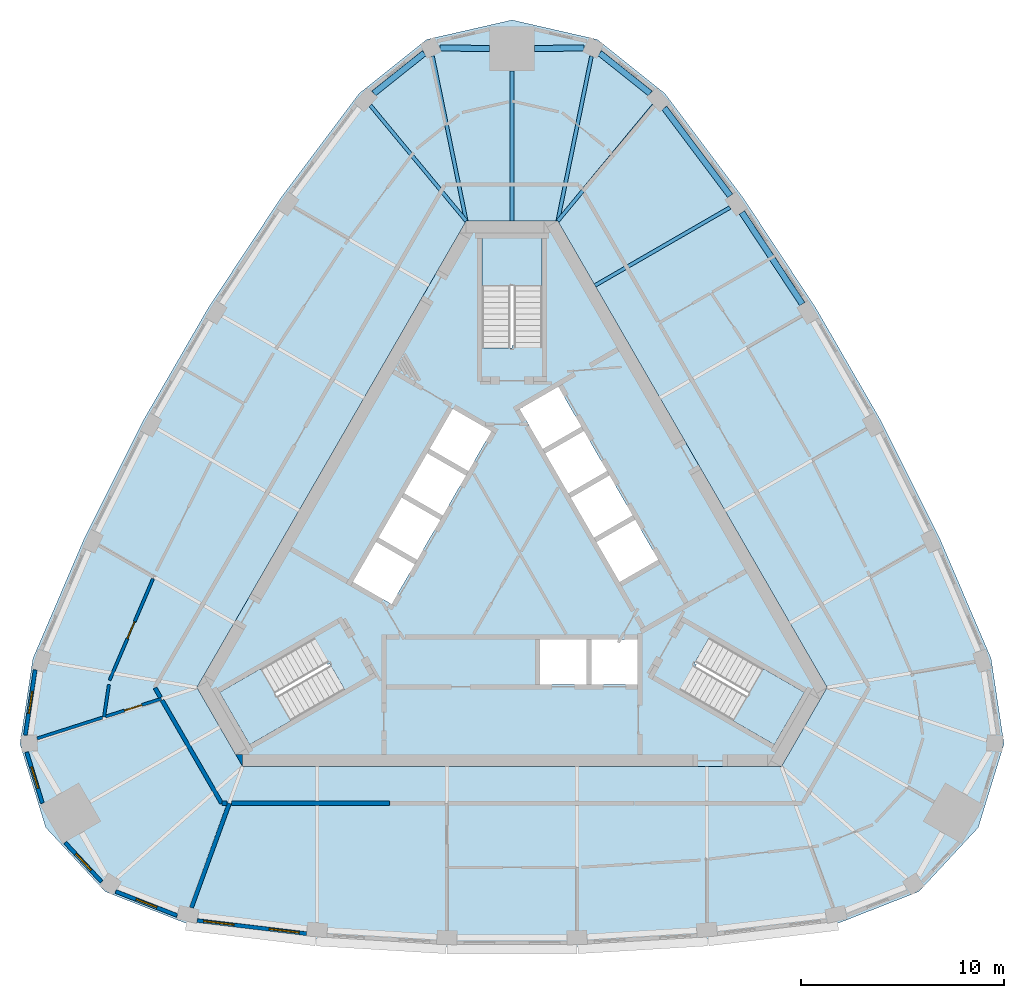
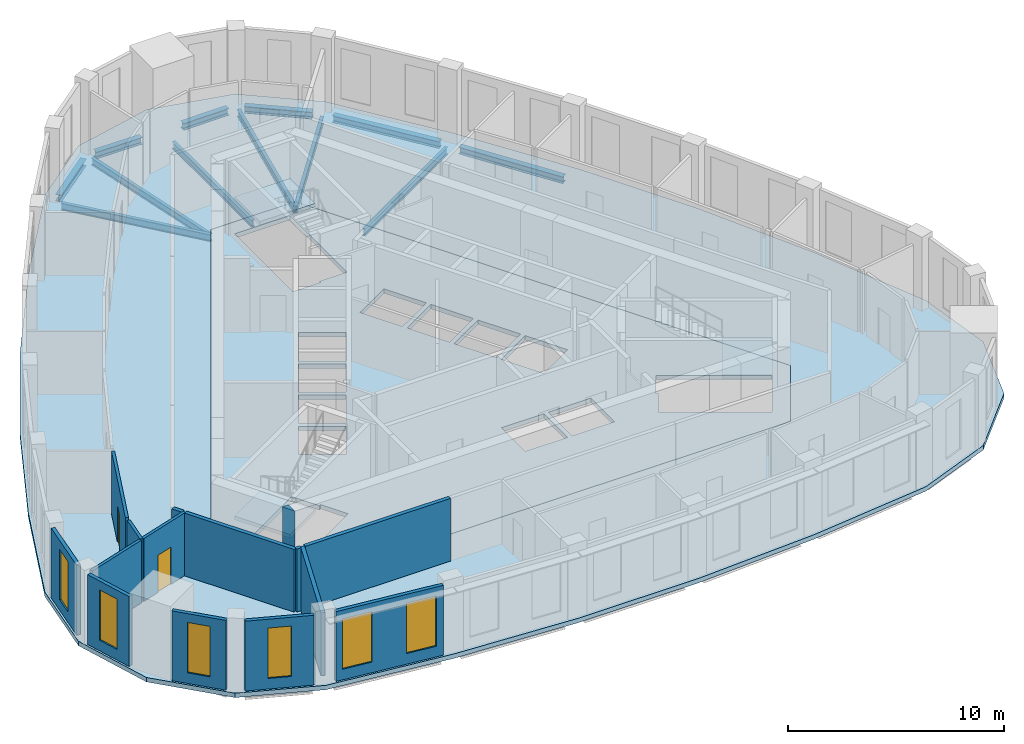
# One storey, part 2 of 10: 15 walls, 12 beams, 6 windows, 5 slabs, 2 doors, 8 openings, 3 elements without a shape of their own.
"""IFC4 building model written with IfcOpenShell, lengths in metres."""

from ifc_helpers import new_model, si_unit, direction, frame, frame_2d, origin, origin_2d, place, context, subcontext, project, spatial, polyline, rectangle, i_section, outline, extrude, material, layer, layer_set, material_profile, profile_set, type_object, element, fill, aggregate, save


model = new_model("IFC4")

# Units and contexts
model_context = context("Model", 3, precision=1e-05, world=origin(), true_north=direction((0.0, 1.0)))
body_context = subcontext(model_context, "Body", "Model", "MODEL_VIEW")
ifc_project = project(units=[si_unit("LENGTHUNIT", "METRE"), si_unit("AREAUNIT", "SQUARE_METRE"), si_unit("VOLUMEUNIT", "CUBIC_METRE"), si_unit("PLANEANGLEUNIT", "RADIAN"), si_unit("MASSUNIT", "GRAM", prefix="KILO")], contexts=[model_context])

# Site, building, storey
site_placement = place(None, origin())
site = spatial("IfcSite", under=ifc_project, at=site_placement, CompositionType="ELEMENT")
building_placement = place(site_placement, origin())
building = spatial("IfcBuilding", under=site, at=building_placement, Name="Mestral Congress Tower", CompositionType="ELEMENT")
storey_placement = place(building_placement, frame((0.0, 0.0, 275.39990234375)))
storey = spatial("IfcBuildingStorey", under=building, at=storey_placement, Name="L64", CompositionType="ELEMENT", Elevation=275.39990234375)

# Beams
ifc_material_1 = material(Name="Steel S355", Category="steel")
ifc_material_profile_1 = material_profile(ifc_material_1, i_section(OverallWidth=0.179931640625, OverallDepth=0.39990234375, WebThickness=0.008544921875, FlangeThickness=0.013427734375, FilletRadius=0.02099609375, at=origin_2d()), Name="IPE 400")
ifc_profile_set_1 = profile_set([ifc_material_profile_1], Name="Steel S355")
beam_type_1 = type_object("IfcBeamType", Name="Floor beam IPE 400 S355", PredefinedType="BEAM", material=ifc_profile_set_1)
beam_1_placement = place(storey_placement, frame((10.7275390625, 17.263916015625, -0.449951171875), z_axis=(-0.866019720907, -0.500009842903, 0.0), x_axis=(0.500009842903, -0.866019720907, 0.0)))
element("IfcBeam", 1, at=beam_1_placement, inside=storey, type_object=beam_type_1, Name="BM-L64-RB5-E04", PredefinedType="BEAM", context=body_context, shape_type="SweptSolid", body=[
    extrude(i_section(OverallWidth=0.179931640625, OverallDepth=0.39990234375, WebThickness=0.008544921875, FlangeThickness=0.013427734375, FilletRadius=0.02099609375, at=origin_2d()), origin(), (0.0, 0.0, 1.0), 7.672119140625),
])
beam_2_placement = place(storey_placement, frame((6.969970703125, 22.2890625, -0.449951171875), z_axis=(-0.638382651591, -0.769719163168, 0.0), x_axis=(0.769719163168, -0.638382651591, 0.0)))
element("IfcBeam", 2, at=beam_2_placement, inside=storey, type_object=beam_type_1, Name="BM-L64-RB5-E05", PredefinedType="BEAM", context=body_context, shape_type="SweptSolid", body=[
    extrude(i_section(OverallWidth=0.179931640625, OverallDepth=0.39990234375, WebThickness=0.008544921875, FlangeThickness=0.013427734375, FilletRadius=0.02099609375, at=origin_2d()), origin(), (0.0, 0.0, 1.0), 7.390869140625),
])
beam_3_placement = place(storey_placement, frame((3.910888671875, 24.7119140625, -0.449951171875), z_axis=(-0.200389803804, -0.979716247967, 0.0), x_axis=(0.979716247967, -0.200389803804, 0.0)))
element("IfcBeam", 3, at=beam_3_placement, inside=storey, type_object=beam_type_1, Name="BM-L64-RB5-N1", PredefinedType="BEAM", context=body_context, shape_type="SweptSolid", body=[
    extrude(i_section(OverallWidth=0.179931640625, OverallDepth=0.39990234375, WebThickness=0.008544921875, FlangeThickness=0.013427734375, FilletRadius=0.02099609375, at=origin_2d()), origin(), (0.0, 0.0, 1.0), 8.27978515625),
])
beam_4_placement = place(storey_placement, frame((0.0, 23.97802734375, -0.449951171875), z_axis=(0.0, -1.0, 0.0), x_axis=(1.0, 0.0, 0.0)))
element("IfcBeam", 4, at=beam_4_placement, inside=storey, type_object=beam_type_1, Name="BM-L64-RB5-N", PredefinedType="BEAM", context=body_context, shape_type="SweptSolid", body=[
    extrude(i_section(OverallWidth=0.179931640625, OverallDepth=0.39990234375, WebThickness=0.008544921875, FlangeThickness=0.013427734375, FilletRadius=0.02099609375, at=origin_2d()), origin(), (0.0, 0.0, 1.0), 7.3779296875),
])
beam_5_placement = place(storey_placement, frame((-3.910888671875, 24.7119140625, -0.449951171875), z_axis=(0.200389803804, -0.979716247967, 0.0), x_axis=(0.979716247967, 0.200389803804, 0.0)))
element("IfcBeam", 5, at=beam_5_placement, inside=storey, type_object=beam_type_1, Name="BM-L64-RB5-N3", PredefinedType="BEAM", context=body_context, shape_type="SweptSolid", body=[
    extrude(i_section(OverallWidth=0.179931640625, OverallDepth=0.39990234375, WebThickness=0.008544921875, FlangeThickness=0.013427734375, FilletRadius=0.02099609375, at=origin_2d()), origin(), (0.0, 0.0, 1.0), 8.27978515625),
])
beam_6_placement = place(storey_placement, frame((-6.969970703125, 22.2890625, -0.449951171875), z_axis=(0.638382651591, -0.769719163168, 0.0), x_axis=(0.769719163168, 0.638382651591, 0.0)))
element("IfcBeam", 6, at=beam_6_placement, inside=storey, type_object=beam_type_1, Name="BM-L64-RB5-W00", PredefinedType="BEAM", context=body_context, shape_type="SweptSolid", body=[
    extrude(i_section(OverallWidth=0.179931640625, OverallDepth=0.39990234375, WebThickness=0.008544921875, FlangeThickness=0.013427734375, FilletRadius=0.02099609375, at=origin_2d()), origin(), (0.0, 0.0, 1.0), 7.390869140625),
])
ifc_material_profile_2 = material_profile(ifc_material_1, i_section(OverallWidth=0.300048828125, OverallDepth=0.389892578125, WebThickness=0.010986328125, FlangeThickness=0.01904296875, FilletRadius=0.027099609375, at=origin_2d()), Name="HEA 400")
ifc_profile_set_2 = profile_set([ifc_material_profile_2], Name="Steel S355")
beam_type_2 = type_object("IfcBeamType", Name="Spandrel beam HEA 400 S355", PredefinedType="BEAM", material=ifc_profile_set_2)
beam_7_placement = place(storey_placement, frame((14.280517578125, 12.51611328125, -0.44482421875), z_axis=(-0.550748957655, 0.83467094453, 0.0), x_axis=(-0.83467094453, -0.550748957655, 0.0)))
element("IfcBeam", 7, at=beam_7_placement, inside=storey, type_object=beam_type_2, Name="SP-L64-SB5-E03", PredefinedType="BEAM", context=body_context, shape_type="SweptSolid", body=[
    extrude(i_section(OverallWidth=0.300048828125, OverallDepth=0.389892578125, WebThickness=0.010986328125, FlangeThickness=0.01904296875, FilletRadius=0.027099609375, at=origin_2d()), origin(), (0.0, 0.0, 1.0), 5.3984375),
])
beam_8_placement = place(storey_placement, frame((10.73193359375, 17.83984375, -0.44482421875), z_axis=(-0.599529393236, 0.800352738888, 0.0), x_axis=(-0.800352738888, -0.599529393236, 0.0)))
element("IfcBeam", 8, at=beam_8_placement, inside=storey, type_object=beam_type_2, Name="SP-L64-SB5-E04", PredefinedType="BEAM", context=body_context, shape_type="SweptSolid", body=[
    extrude(i_section(OverallWidth=0.300048828125, OverallDepth=0.389892578125, WebThickness=0.010986328125, FlangeThickness=0.01904296875, FilletRadius=0.027099609375, at=origin_2d()), origin(), (0.0, 0.0, 1.0), 5.396484375),
])
beam_9_placement = place(storey_placement, frame((6.7998046875, 22.876708984375, -0.44482421875), z_axis=(-0.781647188603, 0.623720829016, 0.0), x_axis=(-0.623720829016, -0.781647188603, 0.0)))
element("IfcBeam", 9, at=beam_9_placement, inside=storey, type_object=beam_type_2, Name="SP-L64-SB5-E05", PredefinedType="BEAM", context=body_context, shape_type="SweptSolid", body=[
    extrude(i_section(OverallWidth=0.300048828125, OverallDepth=0.389892578125, WebThickness=0.010986328125, FlangeThickness=0.01904296875, FilletRadius=0.027099609375, at=origin_2d()), origin(), (0.0, 0.0, 1.0), 3.179931640625),
])
for number, where, z_axis, x_axis, name in (
    (10, (3.54736328125, 25.11181640625, -0.44482421875), (-0.999955093848, -0.009476829002, 0.0), (0.009476829002, -0.999955093848, 0.0), "SP-L64-SB5-N1"),
    (11, (-1.10009765625, 25.088623046875, -0.44482421875), (-0.999955093848, 0.009476829002, 0.0), (-0.009476829002, -0.999955093848, 0.0), "SP-L64-SB5-N"),
):
    element("IfcBeam", number, at=place(storey_placement, frame(where, z_axis=z_axis, x_axis=x_axis)), inside=storey, type_object=beam_type_2, Name=name, PredefinedType="BEAM", context=body_context, shape_type="SweptSolid", body=[
        extrude(i_section(OverallWidth=0.300048828125, OverallDepth=0.389892578125, WebThickness=0.010986328125, FlangeThickness=0.01904296875, FilletRadius=0.027099609375, at=origin_2d()), origin(), (0.0, 0.0, 1.0), 2.447265625),
    ])
beam_10_placement = place(storey_placement, frame((-4.314208984375, 24.860107421875, -0.44482421875), z_axis=(-0.781647188603, -0.623720829016, 0.0), x_axis=(0.623720829016, -0.781647188603, 0.0)))
element("IfcBeam", 12, at=beam_10_placement, inside=storey, type_object=beam_type_2, Name="SP-L64-SB5-N3", PredefinedType="BEAM", context=body_context, shape_type="SweptSolid", body=[
    extrude(i_section(OverallWidth=0.300048828125, OverallDepth=0.389892578125, WebThickness=0.010986328125, FlangeThickness=0.01904296875, FilletRadius=0.027099609375, at=origin_2d()), origin(), (0.0, 0.0, 1.0), 3.179931640625),
])

# Slabs
ifc_material_2 = material(Name="Concrete C35/45", Category="concrete")
ifc_layer_1 = layer(ifc_material_2, 0.25)
ifc_layer_set_1 = layer_set([ifc_layer_1], Name="Concrete C35/45")
slab_type_1 = type_object("IfcSlabType", Name="Composite floor slab 250", PredefinedType="FLOOR", material=ifc_layer_set_1)
placement_1 = place(storey_placement, frame((0.0, 0.0, -0.25)))
element("IfcSlab", 13, at=placement_1, inside=storey, type_object=slab_type_1, Name="SL-L64", PredefinedType="FLOOR", context=body_context, shape_type="SweptSolid", body=[
    extrude(outline(polyline([(-16.051513671875, -17.951904296875), (-20.014404296875, -16.39794921875), (-22.940673828125, -13.244873046875), (-24.208251953125, -9.1337890625), (-23.572509765625, -4.925048828125), (-21.027587890625, 1.0234375), (-18.152099609375, 6.77001953125), (-14.939208984375, 12.335205078125), (-11.400146484375, 17.698486328125), (-7.52099609375, 22.876953125), (-4.19384765625, 25.531982421875), (0.0, 26.48974609375), (4.19384765625, 25.531982421875), (7.52099609375, 22.876953125), (11.400146484375, 17.698486328125), (14.939208984375, 12.335205078125), (18.152099609375, 6.77001953125), (21.027587890625, 1.0234375), (23.572509765625, -4.925048828125), (24.208251953125, -9.1337890625), (22.940673828125, -13.244873046875), (20.014404296875, -16.39794921875), (16.051513671875, -17.951904296875), (9.62744140625, -18.72216796875), (3.212890625, -19.105224609375), (-3.212890625, -19.105224609375), (-9.62744140625, -18.72216796875), (-16.051513671875, -17.951904296875)]), holes=[polyline([(-2.251708984375, 16.60009765625), (-15.501953125, -6.35009765625), (-13.250244140625, -10.25), (13.250244140625, -10.25), (15.501953125, -6.35009765625), (2.251708984375, 16.60009765625), (-2.251708984375, 16.60009765625)])]), origin(), (0.0, 0.0, 1.0), 0.25),
])
ifc_material_3 = material(Name="Concrete C60/75", Category="concrete")
ifc_layer_2 = layer(ifc_material_3, 0.25)
ifc_layer_set_2 = layer_set([ifc_layer_2], Name="Concrete C60/75")
slab_type_2 = type_object("IfcSlabType", Name="Core floor slab RC 250", PredefinedType="FLOOR", material=ifc_layer_set_2)
element("IfcSlab", 14, at=placement_1, inside=storey, type_object=slab_type_2, Name="L64 core floor", PredefinedType="FLOOR", context=body_context, shape_type="SweptSolid", body=[
    extrude(outline(polyline([(13.250244140625, -10.25), (-13.250244140625, -10.25), (-15.501953125, -6.35009765625), (-2.251708984375, 16.60009765625), (2.251708984375, 16.60009765625), (15.501953125, -6.35009765625), (13.250244140625, -10.25)]), holes=[polyline([(-14.37744140625, -6.59765625), (-12.90234375, -9.15234375), (-8.234619140625, -6.45751953125), (-8.971923828125, -5.179931640625), (-9.0673828125, -5.235107421875), (-9.8046875, -3.95751953125), (-14.37744140625, -6.59765625)]), polyline([(-5.921630859375, -2.256591796875), (-4.78662109375, -0.29052734375), (-6.69189453125, 0.809326171875), (-7.826904296875, -1.156494140625), (-5.921630859375, -2.256591796875)]), polyline([(-4.66162109375, -0.07421875), (-3.526611328125, 1.8916015625), (-5.431884765625, 2.99169921875), (-6.56689453125, 1.02587890625), (-4.66162109375, -0.07421875)]), polyline([(-2.2666015625, 4.07421875), (-4.171875, 5.174072265625), (-5.306884765625, 3.208251953125), (-3.401611328125, 2.1083984375), (-2.2666015625, 4.07421875)]), polyline([(-2.1416015625, 4.29052734375), (-1.006591796875, 6.256591796875), (-2.911865234375, 7.3564453125), (-4.046875, 5.390625), (-2.1416015625, 4.29052734375)]), polyline([(0.376708984375, 7.34765625), (1.51171875, 5.3818359375), (3.4169921875, 6.481689453125), (2.281982421875, 8.44775390625), (0.376708984375, 7.34765625)]), polyline([(1.47509765625, 15.75), (-1.47509765625, 15.75), (-1.47509765625, 10.360107421875), (0.0, 10.360107421875), (0.0, 10.469970703125), (1.47509765625, 10.469970703125), (1.47509765625, 15.75)]), polyline([(8.329833984375, -6.512451171875), (12.90234375, -9.15234375), (14.37744140625, -6.59765625), (9.70947265625, -3.902587890625), (8.971923828125, -5.179931640625), (9.0673828125, -5.235107421875), (8.329833984375, -6.512451171875)]), polyline([(3.655029296875, -4.0), (1.385009765625, -4.0), (1.385009765625, -6.199951171875), (3.655029296875, -6.199951171875), (3.655029296875, -4.0)]), polyline([(6.175048828125, -4.0), (3.905029296875, -4.0), (3.905029296875, -6.199951171875), (6.175048828125, -6.199951171875), (6.175048828125, -4.0)]), polyline([(4.156494140625, 0.800537109375), (5.29150390625, -1.165283203125), (7.197021484375, -0.065185546875), (6.06201171875, 1.900634765625), (4.156494140625, 0.800537109375)]), polyline([(2.896484375, 2.98291015625), (4.031494140625, 1.01708984375), (5.93701171875, 2.1171875), (4.802001953125, 4.0830078125), (2.896484375, 2.98291015625)]), polyline([(1.63671875, 5.165283203125), (2.771484375, 3.199462890625), (4.677001953125, 4.29931640625), (3.5419921875, 6.265380859375), (1.63671875, 5.165283203125)])]), origin(), (0.0, 0.0, 1.0), 0.25),
])

# Stair, slab
stair_type = type_object("IfcStairType", Name="Exit stair 1400", PredefinedType="HALF_TURN_STAIR", material=ifc_material_3)
placement_2 = place(storey_placement, origin())
stair_1 = element("IfcStair", 15, at=placement_2, inside=storey, type_object=stair_type, Name="L64 ST1", PredefinedType="HALF_TURN_STAIR")
ifc_layer_3 = layer(ifc_material_3, 0.199951171875)
ifc_layer_set_3 = layer_set([ifc_layer_3], Name="Concrete C60/75")
slab_type_3 = type_object("IfcSlabType", Name="Exit stair landing 200", PredefinedType="LANDING", material=ifc_layer_set_3)
placement_3 = place(storey_placement, frame((0.0, 0.0, 1.900146484375)))
slab_3 = element("IfcSlab", 16, at=placement_3, type_object=slab_type_3, Name="ST1 landing 1", PredefinedType="LANDING", context=body_context, shape_type="SweptSolid", body=[
    extrude(outline(polyline([(10.879638671875, -7.99609375), (12.364501953125, -5.424072265625), (14.39111328125, -6.593994140625), (12.906005859375, -9.166015625), (10.879638671875, -7.99609375)])), origin(), (0.0, 0.0, 1.0), 0.199951171875),
])
aggregate(stair_1, [slab_3])

stair_2 = element("IfcStair", 17, at=placement_2, inside=storey, type_object=stair_type, Name="L64 ST2", PredefinedType="HALF_TURN_STAIR")
slab_4 = element("IfcSlab", 18, at=placement_3, type_object=slab_type_3, Name="ST2 landing 1", PredefinedType="LANDING", context=body_context, shape_type="SweptSolid", body=[
    extrude(outline(polyline([(1.485107421875, 13.419921875), (-1.485107421875, 13.419921875), (-1.485107421875, 15.760009765625), (1.485107421875, 15.760009765625), (1.485107421875, 13.419921875)])), origin(), (0.0, 0.0, 1.0), 0.199951171875),
])
aggregate(stair_2, [slab_4])

stair_3 = element("IfcStair", 19, at=placement_2, inside=storey, type_object=stair_type, Name="L64 ST3", PredefinedType="HALF_TURN_STAIR")
slab_5 = element("IfcSlab", 20, at=placement_3, type_object=slab_type_3, Name="ST3 landing 1", PredefinedType="LANDING", context=body_context, shape_type="SweptSolid", body=[
    extrude(outline(polyline([(-12.364501953125, -5.424072265625), (-10.879638671875, -7.99609375), (-12.906005859375, -9.166015625), (-14.39111328125, -6.593994140625), (-12.364501953125, -5.424072265625)])), origin(), (0.0, 0.0, 1.0), 0.199951171875),
])
aggregate(stair_3, [slab_5])

# Wall
ifc_layer_4 = layer(ifc_material_3, 0.60009765625)
ifc_layer_set_4 = layer_set([ifc_layer_4], Name="Concrete C60/75")
wall_type_1 = type_object("IfcWallType", Name="Core wall RC 600", PredefinedType="SOLIDWALL", material=ifc_layer_set_4)
element("IfcWall", 21, at=placement_2, inside=storey, type_object=wall_type_1, Name="L64 core wall", PredefinedType="SOLIDWALL", context=body_context, shape_type="SweptSolid", body=[
    extrude(outline(polyline([(-13.5966796875, -9.64990234375), (-13.258544921875, -9.64990234375), (-13.258544921875, -10.235595703125), (-13.5966796875, -9.64990234375)])), origin(), (0.0, 0.0, 1.0), 4.2001953125),
])

# Wall, openings, windows
ifc_material_4 = material(Name="Precast concrete C40/50 with limestone facing", Category="masonry")
ifc_layer_5 = layer(ifc_material_4, 0.18994140625)
ifc_layer_set_5 = layer_set([ifc_layer_5], Name="Precast concrete C40/50 with limestone facing")
wall_type_2 = type_object("IfcWallType", Name="Facade stone wall 190", PredefinedType="SOLIDWALL", material=ifc_layer_set_5)
wall_2_placement = place(storey_placement, frame((-15.487060546875, -17.822998046875, 0.0), z_axis=(0.0, 0.0, 1.0), x_axis=(0.992885582795, -0.119072328769, 0.0)))
wall_2 = element("IfcWall", 22, at=wall_2_placement, inside=storey, type_object=wall_type_2, Name="Facade wall F0-00", PredefinedType="SOLIDWALL", context=body_context, shape_type="SweptSolid", body=[
    extrude(rectangle(XDim=5.4150390625, YDim=0.18994140625, at=frame_2d((2.70751953125, 0.0))), origin(), (0.0, 0.0, 1.0), 3.9501953125),
])
opening_1_placement = place(wall_2_placement, frame((0.322509765625, 0.0, 0.60009765625)))
opening_1 = element("IfcOpeningElement", 23, at=opening_1_placement, cuts=wall_2, Name="Opening W6", PredefinedType="OPENING", context=body_context, shape_type="SweptSolid", body=[
    extrude(rectangle(XDim=1.5, YDim=2.85009765625, at=frame_2d((0.75, 1.425048828125))), frame((0.0, 0.10498046875, 0.0), z_axis=(0.0, -1.0, 0.0), x_axis=(1.0, 0.0, 0.0)), (0.0, 0.0, 1.0), 0.2099609375),
])
opening_2_placement = place(wall_2_placement, frame((3.5576171875, 0.0, 0.60009765625)))
opening_2 = element("IfcOpeningElement", 24, at=opening_2_placement, cuts=wall_2, Name="Opening W6", PredefinedType="OPENING", context=body_context, shape_type="SweptSolid", body=[
    extrude(rectangle(XDim=1.5, YDim=2.85009765625, at=frame_2d((0.75, 1.425048828125))), frame((0.0, 0.10498046875, 0.0), z_axis=(0.0, -1.0, 0.0), x_axis=(1.0, 0.0, 0.0)), (0.0, 0.0, 1.0), 0.2099609375),
])
ifc_material_5 = material(Name="Clear low-emissivity double glazing", Category="glass")
window_type_1 = type_object("IfcWindowType", Name="Facade punched window 1500 x 2850 sill 600", PartitioningType="SINGLE_PANEL", PredefinedType="WINDOW", material=ifc_material_5)
window_1_placement = place(opening_1_placement, origin())
window_1 = element("IfcWindow", 25, at=window_1_placement, inside=storey, type_object=window_type_1, Name="Window F0-00a", OverallHeight=2.85009765625, OverallWidth=1.5, PartitioningType="SINGLE_PANEL", PredefinedType="WINDOW", context=body_context, shape_type="SweptSolid", body=[
    extrude(rectangle(XDim=1.5, YDim=2.85009765625, at=frame_2d((0.75, 1.425048828125))), frame((0.0, 0.044921875, 0.0), z_axis=(0.0, -1.0, 0.0), x_axis=(1.0, 0.0, 0.0)), (0.0, 0.0, 1.0), 0.06005859375),
])
fill(opening_1, window_1)
window_2_placement = place(opening_2_placement, origin())
window_2 = element("IfcWindow", 26, at=window_2_placement, inside=storey, type_object=window_type_1, Name="Window F0-00b", OverallHeight=2.85009765625, OverallWidth=1.5, PartitioningType="SINGLE_PANEL", PredefinedType="WINDOW", context=body_context, shape_type="SweptSolid", body=[
    extrude(rectangle(XDim=1.5, YDim=2.85009765625, at=frame_2d((0.75, 1.425048828125))), frame((0.0, 0.044921875, 0.0), z_axis=(0.0, -1.0, 0.0), x_axis=(1.0, 0.0, 0.0)), (0.0, 0.0, 1.0), 0.06005859375),
])
fill(opening_2, window_2)

# Wall, opening, window
wall_3_placement = place(storey_placement, frame((-23.460205078125, -5.488037109375, 0.0), z_axis=(0.0, 0.0, 1.0), x_axis=(-0.149421055602, -0.988773658702, 0.0)))
wall_3 = element("IfcWall", 27, at=wall_3_placement, inside=storey, type_object=wall_type_2, Name="Facade wall K2-0", PredefinedType="SOLIDWALL", context=body_context, shape_type="SweptSolid", body=[
    extrude(rectangle(XDim=3.23681640625, YDim=0.18994140625, at=frame_2d((1.618408203125, 0.0))), origin(), (0.0, 0.0, 1.0), 3.9501953125),
])
opening_3_placement = place(wall_3_placement, frame((1.068359375, 0.0, 0.60009765625)))
opening_3 = element("IfcOpeningElement", 28, at=opening_3_placement, cuts=wall_3, Name="Opening W7", PredefinedType="OPENING", context=body_context, shape_type="SweptSolid", body=[
    extrude(rectangle(XDim=1.10009765625, YDim=2.85009765625, at=frame_2d((0.550048828125, 1.425048828125))), frame((0.0, 0.10498046875, 0.0), z_axis=(0.0, -1.0, 0.0), x_axis=(1.0, 0.0, 0.0)), (0.0, 0.0, 1.0), 0.2099609375),
])
window_type_2 = type_object("IfcWindowType", Name="Facade punched window 1100 x 2850 sill 600", PartitioningType="SINGLE_PANEL", PredefinedType="WINDOW", material=ifc_material_5)
window_3_placement = place(opening_3_placement, origin())
window_3 = element("IfcWindow", 29, at=window_3_placement, inside=storey, type_object=window_type_2, Name="Window K2-0", OverallHeight=2.85009765625, OverallWidth=1.10009765625, PartitioningType="SINGLE_PANEL", PredefinedType="WINDOW", context=body_context, shape_type="SweptSolid", body=[
    extrude(rectangle(XDim=1.10009765625, YDim=2.85009765625, at=frame_2d((0.550048828125, 1.425048828125))), frame((0.0, 0.044921875, 0.0), z_axis=(0.0, -1.0, 0.0), x_axis=(1.0, 0.0, 0.0)), (0.0, 0.0, 1.0), 0.06005859375),
])
fill(opening_3, window_3)

wall_4_placement = place(storey_placement, frame((-23.880615234375, -9.53515625, 0.0), z_axis=(0.0, 0.0, 1.0), x_axis=(0.294706210429, -0.9555879078, 0.0)))
wall_4 = element("IfcWall", 30, at=wall_4_placement, inside=storey, type_object=wall_type_2, Name="Facade wall K2-1", PredefinedType="SOLIDWALL", context=body_context, shape_type="SweptSolid", body=[
    extrude(rectangle(XDim=2.626953125, YDim=0.18994140625, at=frame_2d((1.3134765625, 0.0))), origin(), (0.0, 0.0, 1.0), 3.9501953125),
])
opening_4_placement = place(wall_4_placement, frame((0.763427734375, 0.0, 0.60009765625)))
opening_4 = element("IfcOpeningElement", 31, at=opening_4_placement, cuts=wall_4, Name="Opening W7", PredefinedType="OPENING", context=body_context, shape_type="SweptSolid", body=[
    extrude(rectangle(XDim=1.10009765625, YDim=2.85009765625, at=frame_2d((0.550048828125, 1.425048828125))), frame((0.0, 0.10498046875, 0.0), z_axis=(0.0, -1.0, 0.0), x_axis=(1.0, 0.0, 0.0)), (0.0, 0.0, 1.0), 0.2099609375),
])
window_4_placement = place(opening_4_placement, origin())
window_4 = element("IfcWindow", 32, at=window_4_placement, inside=storey, type_object=window_type_2, Name="Window K2-1", OverallHeight=2.85009765625, OverallWidth=1.10009765625, PartitioningType="SINGLE_PANEL", PredefinedType="WINDOW", context=body_context, shape_type="SweptSolid", body=[
    extrude(rectangle(XDim=1.10009765625, YDim=2.85009765625, at=frame_2d((0.550048828125, 1.425048828125))), frame((0.0, 0.044921875, 0.0), z_axis=(0.0, -1.0, 0.0), x_axis=(1.0, 0.0, 0.0)), (0.0, 0.0, 1.0), 0.06005859375),
])
fill(opening_4, window_4)

wall_5_placement = place(storey_placement, frame((-21.98486328125, -13.988037109375, 0.0), z_axis=(0.0, 0.0, 1.0), x_axis=(0.680219354823, -0.733008614768, 0.0)))
wall_5 = element("IfcWall", 33, at=wall_5_placement, inside=storey, type_object=wall_type_2, Name="Facade wall K2-2", PredefinedType="SOLIDWALL", context=body_context, shape_type="SweptSolid", body=[
    extrude(rectangle(XDim=2.626953125, YDim=0.18994140625, at=frame_2d((1.3134765625, 0.0))), origin(), (0.0, 0.0, 1.0), 3.9501953125),
])
opening_5_placement = place(wall_5_placement, frame((0.763427734375, 0.0, 0.60009765625)))
opening_5 = element("IfcOpeningElement", 34, at=opening_5_placement, cuts=wall_5, Name="Opening W7", PredefinedType="OPENING", context=body_context, shape_type="SweptSolid", body=[
    extrude(rectangle(XDim=1.10009765625, YDim=2.85009765625, at=frame_2d((0.550048828125, 1.425048828125))), frame((0.0, 0.10498046875, 0.0), z_axis=(0.0, -1.0, 0.0), x_axis=(1.0, 0.0, 0.0)), (0.0, 0.0, 1.0), 0.2099609375),
])
window_5_placement = place(opening_5_placement, origin())
window_5 = element("IfcWindow", 35, at=window_5_placement, inside=storey, type_object=window_type_2, Name="Window K2-2", OverallHeight=2.85009765625, OverallWidth=1.10009765625, PartitioningType="SINGLE_PANEL", PredefinedType="WINDOW", context=body_context, shape_type="SweptSolid", body=[
    extrude(rectangle(XDim=1.10009765625, YDim=2.85009765625, at=frame_2d((0.550048828125, 1.425048828125))), frame((0.0, 0.044921875, 0.0), z_axis=(0.0, -1.0, 0.0), x_axis=(1.0, 0.0, 0.0)), (0.0, 0.0, 1.0), 0.06005859375),
])
fill(opening_5, window_5)

wall_6_placement = place(storey_placement, frame((-19.496337890625, -16.3916015625, 0.0), z_axis=(0.0, 0.0, 1.0), x_axis=(0.93100888477, -0.364996515709, 0.0)))
wall_6 = element("IfcWall", 36, at=wall_6_placement, inside=storey, type_object=wall_type_2, Name="Facade wall K2-3", PredefinedType="SOLIDWALL", context=body_context, shape_type="SweptSolid", body=[
    extrude(rectangle(XDim=3.23681640625, YDim=0.18994140625, at=frame_2d((1.618408203125, 0.0))), origin(), (0.0, 0.0, 1.0), 3.9501953125),
])
opening_6_placement = place(wall_6_placement, frame((1.068359375, 0.0, 0.60009765625)))
opening_6 = element("IfcOpeningElement", 37, at=opening_6_placement, cuts=wall_6, Name="Opening W7", PredefinedType="OPENING", context=body_context, shape_type="SweptSolid", body=[
    extrude(rectangle(XDim=1.10009765625, YDim=2.85009765625, at=frame_2d((0.550048828125, 1.425048828125))), frame((0.0, 0.10498046875, 0.0), z_axis=(0.0, -1.0, 0.0), x_axis=(1.0, 0.0, 0.0)), (0.0, 0.0, 1.0), 0.2099609375),
])
window_6_placement = place(opening_6_placement, origin())
window_6 = element("IfcWindow", 38, at=window_6_placement, inside=storey, type_object=window_type_2, Name="Window K2-3", OverallHeight=2.85009765625, OverallWidth=1.10009765625, PartitioningType="SINGLE_PANEL", PredefinedType="WINDOW", context=body_context, shape_type="SweptSolid", body=[
    extrude(rectangle(XDim=1.10009765625, YDim=2.85009765625, at=frame_2d((0.550048828125, 1.425048828125))), frame((0.0, 0.044921875, 0.0), z_axis=(0.0, -1.0, 0.0), x_axis=(1.0, 0.0, 0.0)), (0.0, 0.0, 1.0), 0.06005859375),
])
fill(opening_6, window_6)

# Wall, opening, door
ifc_material_6 = material(Name="Plasterboard partition on steel studs", Category="steel")
ifc_layer_6 = layer(ifc_material_6, 0.14990234375)
ifc_layer_set_6 = layer_set([ifc_layer_6], Name="Plasterboard partition on steel studs")
wall_type_3 = type_object("IfcWallType", Name="Office partition 150", PredefinedType="PARTITIONING", material=ifc_layer_set_6)
wall_7_placement = place(storey_placement, frame((-19.80029296875, -5.997802734375, 0.0), z_axis=(0.0, 0.0, 1.0), x_axis=(0.39332238233, 0.919400621904, 0.0)))
wall_7 = element("IfcWall", 39, at=wall_7_placement, inside=storey, type_object=wall_type_3, Name="Partition", PredefinedType="PARTITIONING", context=body_context, shape_type="SweptSolid", body=[
    extrude(rectangle(XDim=5.4306640625, YDim=0.14990234375, at=frame_2d((2.71533203125, 0.0))), origin(), (0.0, 0.0, 1.0), 3.550048828125),
])
opening_7_placement = place(wall_7_placement, frame((2.230712890625, 0.0, 0.0)))
opening_7 = element("IfcOpeningElement", 40, at=opening_7_placement, cuts=wall_7, Name="Opening O11-017", PredefinedType="OPENING", context=body_context, shape_type="SweptSolid", body=[
    extrude(rectangle(XDim=0.89990234375, YDim=2.10009765625, at=frame_2d((0.449951171875, 1.050048828125))), frame((0.0, 0.0849609375, 0.0), z_axis=(0.0, -1.0, 0.0), x_axis=(1.0, 0.0, 0.0)), (0.0, 0.0, 1.0), 0.169921875),
])
ifc_material_7 = material(Name="Timber door set", Category="wood")
door_type = type_object("IfcDoorType", Name="Office door 900x2100", OperationType="SINGLE_SWING_LEFT", PredefinedType="DOOR", material=ifc_material_7)
door_1_placement = place(opening_7_placement, origin())
door_1 = element("IfcDoor", 41, at=door_1_placement, inside=storey, type_object=door_type, Name="Door O11-017", OperationType="SINGLE_SWING_LEFT", OverallHeight=2.10009765625, OverallWidth=0.89990234375, PredefinedType="DOOR", context=body_context, shape_type="SweptSolid", body=[
    extrude(rectangle(XDim=0.89990234375, YDim=2.10009765625, at=frame_2d((0.449951171875, 1.050048828125))), frame((0.0, 0.02490234375, 0.0), z_axis=(0.0, -1.0, 0.0), x_axis=(1.0, 0.0, 0.0)), (0.0, 0.0, 1.0), 0.050048828125),
])
fill(opening_7, door_1)

# Walls
wall_8_placement = place(storey_placement, frame((-19.83251953125, -6.209716796875, 0.0), z_axis=(0.0, 0.0, 1.0), x_axis=(-0.149305499664, -0.988791114326, 0.0)))
element("IfcWall", 42, at=wall_8_placement, inside=storey, type_object=wall_type_3, Name="Partition", PredefinedType="PARTITIONING", context=body_context, shape_type="SweptSolid", body=[
    extrude(rectangle(XDim=1.620361328125, YDim=0.14990234375, at=frame_2d((0.81005859375, 0.0))), origin(), (0.0, 0.0, 1.0), 3.550048828125),
])
wall_9_placement = place(storey_placement, frame((-20.154296875, -7.837646484375, 0.0), z_axis=(0.0, 0.0, 1.0), x_axis=(-0.952501497002, -0.304533903217, 0.0)))
element("IfcWall", 43, at=wall_9_placement, inside=storey, type_object=wall_type_3, Name="Partition", PredefinedType="PARTITIONING", context=body_context, shape_type="SweptSolid", body=[
    extrude(rectangle(XDim=3.370361328125, YDim=0.14990234375, at=frame_2d((1.68505859375, 0.0))), origin(), (0.0, 0.0, 1.0), 3.550048828125),
])

# Wall, opening, door
wall_10_placement = place(storey_placement, frame((-17.25634765625, -6.910888671875, 0.0), z_axis=(0.0, 0.0, 1.0), x_axis=(-0.95247639241, -0.304612412587, 0.0)))
wall_10 = element("IfcWall", 44, at=wall_10_placement, inside=storey, type_object=wall_type_3, Name="Partition", PredefinedType="PARTITIONING", context=body_context, shape_type="SweptSolid", body=[
    extrude(rectangle(XDim=2.875, YDim=0.14990234375, at=frame_2d((1.4375, 0.0))), origin(), (0.0, 0.0, 1.0), 3.550048828125),
])
opening_8_placement = place(wall_10_placement, frame((1.0, 0.0, 0.0)))
opening_8 = element("IfcOpeningElement", 45, at=opening_8_placement, cuts=wall_10, Name="Opening O11-019", PredefinedType="OPENING", context=body_context, shape_type="SweptSolid", body=[
    extrude(rectangle(XDim=0.89990234375, YDim=2.10009765625, at=frame_2d((0.449951171875, 1.050048828125))), frame((0.0, 0.0849609375, 0.0), z_axis=(0.0, -1.0, 0.0), x_axis=(1.0, 0.0, 0.0)), (0.0, 0.0, 1.0), 0.169921875),
])
door_2_placement = place(opening_8_placement, origin())
door_2 = element("IfcDoor", 46, at=door_2_placement, inside=storey, type_object=door_type, Name="Door O11-019", OperationType="SINGLE_SWING_RIGHT", OverallHeight=2.10009765625, OverallWidth=0.89990234375, PredefinedType="DOOR", context=body_context, shape_type="SweptSolid", body=[
    extrude(rectangle(XDim=0.89990234375, YDim=2.10009765625, at=frame_2d((0.449951171875, 1.050048828125))), frame((0.0, 0.02490234375, 0.0), z_axis=(0.0, -1.0, 0.0), x_axis=(1.0, 0.0, 0.0)), (0.0, 0.0, 1.0), 0.050048828125),
])
fill(opening_8, door_2)

# Walls
ifc_material_8 = material(Name="Dense masonry wall, plastered", Category="masonry")
ifc_layer_7 = layer(ifc_material_8, 0.199951171875)
ifc_layer_set_7 = layer_set([ifc_layer_7], Name="Dense masonry wall, plastered")
wall_type_4 = type_object("IfcWallType", Name="Office tenancy wall 200", PredefinedType="PARTITIONING", material=ifc_layer_set_7)
wall_11_placement = place(storey_placement, frame((-15.7744140625, -17.190185546875, 0.0), z_axis=(0.0, 0.0, 1.0), x_axis=(0.341821907823, 0.93976474893, 0.0)))
element("IfcWall", 47, at=wall_11_placement, inside=storey, type_object=wall_type_4, Name="Tenancy wall", PredefinedType="PARTITIONING", context=body_context, shape_type="SweptSolid", body=[
    extrude(rectangle(XDim=5.469482421875, YDim=0.199951171875, at=frame_2d((2.73486328125, 0.0))), origin(), (0.0, 0.0, 1.0), 3.550048828125),
])
wall_12_placement = place(storey_placement, frame((-13.798583984375, -12.050048828125, 0.0), z_axis=(0.0, 0.0, 1.0), x_axis=(1.0, 0.0, 0.0)))
element("IfcWall", 48, at=wall_12_placement, inside=storey, type_object=wall_type_4, Name="Tenancy wall", PredefinedType="PARTITIONING", context=body_context, shape_type="SweptSolid", body=[
    extrude(rectangle(XDim=7.7685546875, YDim=0.199951171875, at=frame_2d((3.88427734375, 0.0))), origin(), (0.0, 0.0, 1.0), 3.550048828125),
])
wall_13_placement = place(storey_placement, frame((-17.565185546875, -6.3759765625, 0.0), z_axis=(0.0, 0.0, 1.0), x_axis=(0.499683376352, -0.866208129376, 0.0)))
element("IfcWall", 49, at=wall_13_placement, inside=storey, type_object=wall_type_4, Name="Tenancy wall", PredefinedType="PARTITIONING", context=body_context, shape_type="SweptSolid", body=[
    extrude(rectangle(XDim=0.540771484375, YDim=0.199951171875, at=frame_2d((0.2705078125, 0.0))), origin(), (0.0, 0.0, 1.0), 3.550048828125),
])
wall_14_placement = place(storey_placement, frame((-17.218017578125, -6.9775390625, 0.0), z_axis=(0.0, 0.0, 1.0), x_axis=(0.500012299885, -0.866018302326, 0.0)))
element("IfcWall", 50, at=wall_14_placement, inside=storey, type_object=wall_type_4, Name="Tenancy wall", PredefinedType="PARTITIONING", context=body_context, shape_type="SweptSolid", body=[
    extrude(rectangle(XDim=5.857177734375, YDim=0.199951171875, at=frame_2d((2.9287109375, 0.0))), origin(), (0.0, 0.0, 1.0), 3.550048828125),
])
wall_15_placement = place(storey_placement, frame((-14.259521484375, -12.050048828125, 0.0), z_axis=(0.0, 0.0, 1.0), x_axis=(1.0, 0.0, 0.0)))
element("IfcWall", 51, at=wall_15_placement, inside=storey, type_object=wall_type_4, Name="Tenancy wall", PredefinedType="PARTITIONING", context=body_context, shape_type="SweptSolid", body=[
    extrude(rectangle(XDim=0.248291015625, YDim=0.199951171875, at=frame_2d((0.1240234375, 0.0))), origin(), (0.0, 0.0, 1.0), 3.550048828125),
])

save(model, "model.ifc")
